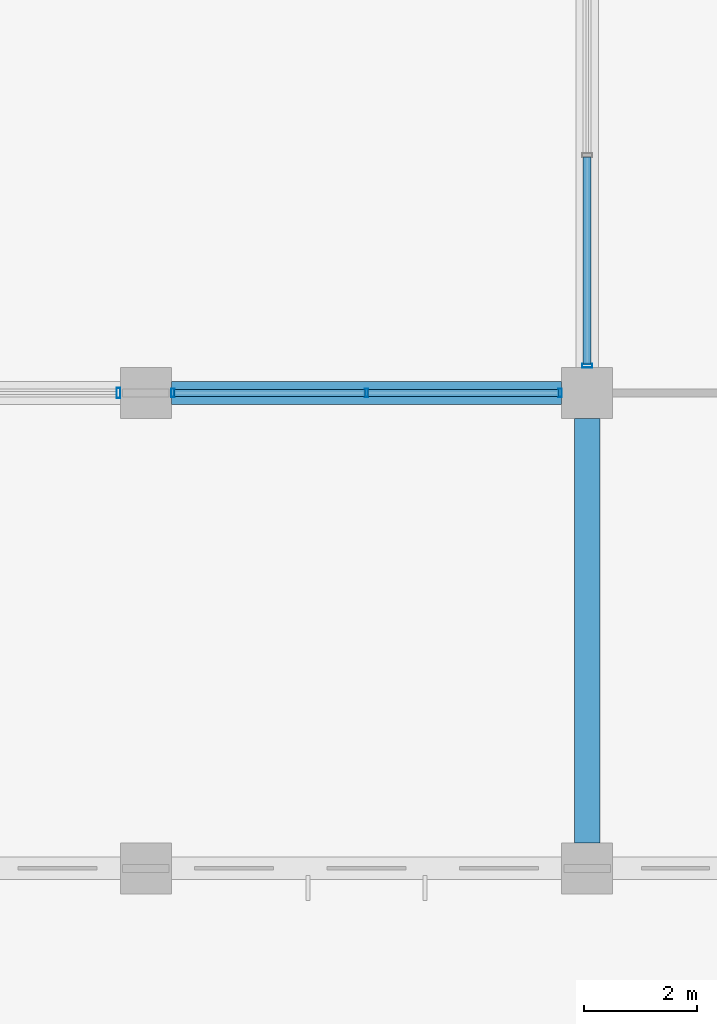
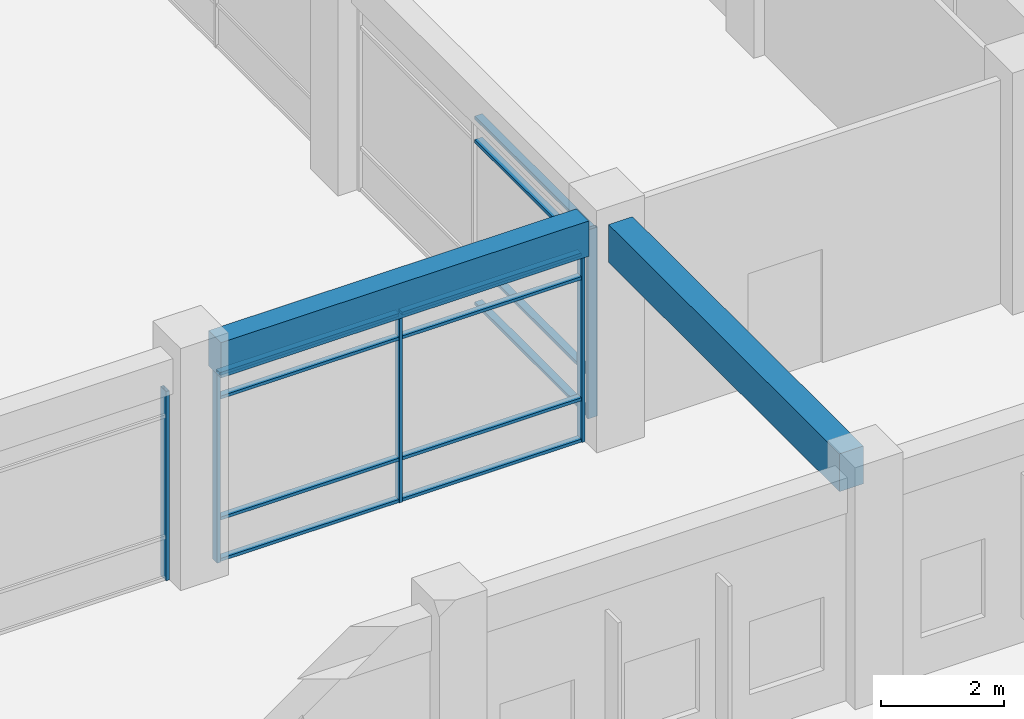
# One storey, part 33 of 74: 17 members, 2 beams, 3 elements without a shape of their own.
"""IFC4 building model written with IfcOpenShell, lengths in metres."""

from ifc_helpers import new_model, si_unit, direction, frame, origin, origin_2d, place, context, subcontext, project, spatial, rectangle, hollow_rectangle, extrude, material, material_profile, profile_set, type_object, element, aggregate, save


model = new_model("IFC4")

# Units and contexts
model_context = context("Model", 3, precision=1e-05, world=origin(), true_north=direction((0.0, 1.0)))
body_context = subcontext(model_context, "Body", "Model", "MODEL_VIEW")
ifc_project = project(units=[si_unit("LENGTHUNIT", "METRE"), si_unit("AREAUNIT", "SQUARE_METRE"), si_unit("VOLUMEUNIT", "CUBIC_METRE"), si_unit("PLANEANGLEUNIT", "RADIAN"), si_unit("MASSUNIT", "GRAM", prefix="KILO"), si_unit("THERMODYNAMICTEMPERATUREUNIT", "KELVIN"), si_unit("POWERUNIT", "WATT")], contexts=[model_context])

# Site, building, storey
site_placement = place(None, origin())
site = spatial("IfcSite", under=ifc_project, at=site_placement, CompositionType="ELEMENT")
building_placement = place(site_placement, origin())
building = spatial("IfcBuilding", under=site, at=building_placement, Name="Srebrne Nadtorze General Hospital", CompositionType="ELEMENT")
storey_placement = place(building_placement, origin())
storey = spatial("IfcBuildingStorey", under=building, at=storey_placement, Name="L00", CompositionType="ELEMENT", Elevation=0.0)

# Curtain wall, members
ifc_material_1 = material(Name="Anodised Aluminium", Category="aluminium")
curtain_wall_type_1 = type_object("IfcCurtainWallType", Name="Unitised curtain wall 6900x3750", PredefinedType="NOTDEFINED", material=ifc_material_1)
curtain_wall_1_placement = place(storey_placement, origin())
curtain_wall_1 = element("IfcCurtainWall", 1, at=curtain_wall_1_placement, inside=storey, type_object=curtain_wall_type_1, Name="Curtain wall CW-004", PredefinedType="NOTDEFINED")
ifc_material_2 = material(Name="Anodised Aluminium", Category="aluminium")
ifc_material_profile_1 = material_profile(ifc_material_2, hollow_rectangle(XDim=0.06005859375, YDim=0.14990234375, WallThickness=0.00390625, at=origin_2d()), Name="AL-MUL-60x150")
ifc_profile_set_1 = profile_set([ifc_material_profile_1], Name="Anodised Aluminium")
member_type_1 = type_object("IfcMemberType", Name="Curtain mullion 60x150", PredefinedType="MULLION", material=ifc_profile_set_1)
member_1_placement = place(storey_placement, frame((125.280029296875, 8.39990234375, 0.0), z_axis=(0.0, 0.0, 1.0), x_axis=(1.0, 0.0, 0.0)))
member_1 = element("IfcMember", 2, at=member_1_placement, type_object=member_type_1, Name="CW-004 mullion 1", PredefinedType="MULLION", context=body_context, shape_type="SweptSolid", body=[
    extrude(hollow_rectangle(XDim=0.06005859375, YDim=0.14990234375, WallThickness=0.00390625, at=origin_2d()), origin(), (0.0, 0.0, 1.0), 3.75),
])
member_2_placement = place(storey_placement, frame((128.699951171875, 8.39990234375, 0.0), z_axis=(0.0, 0.0, 1.0), x_axis=(1.0, 0.0, 0.0)))
member_2 = element("IfcMember", 3, at=member_2_placement, type_object=member_type_1, Name="CW-004 mullion 2", PredefinedType="MULLION", context=body_context, shape_type="SweptSolid", body=[
    extrude(hollow_rectangle(XDim=0.06005859375, YDim=0.14990234375, WallThickness=0.00390625, at=origin_2d()), origin(), (0.0, 0.0, 1.0), 3.75),
])
member_3_placement = place(storey_placement, frame((132.1201171875, 8.39990234375, 0.0), z_axis=(0.0, 0.0, 1.0), x_axis=(1.0, 0.0, 0.0)))
member_3 = element("IfcMember", 4, at=member_3_placement, type_object=member_type_1, Name="CW-004 mullion 3", PredefinedType="MULLION", context=body_context, shape_type="SweptSolid", body=[
    extrude(hollow_rectangle(XDim=0.06005859375, YDim=0.14990234375, WallThickness=0.00390625, at=origin_2d()), origin(), (0.0, 0.0, 1.0), 3.75),
])

# Curtain wall, member
curtain_wall_2_placement = place(storey_placement, origin())
curtain_wall_2 = element("IfcCurtainWall", 5, at=curtain_wall_2_placement, inside=storey, type_object=curtain_wall_type_1, Name="Curtain wall CW-003", PredefinedType="NOTDEFINED")
ifc_material_3 = material(Name="Anodised Aluminium", Category="aluminium")
ifc_material_profile_2 = material_profile(ifc_material_3, hollow_rectangle(XDim=0.06494140625, YDim=0.179931640625, WallThickness=0.00390625, at=origin_2d()), Name="AL-MUL-65x180")
ifc_profile_set_2 = profile_set([ifc_material_profile_2], Name="Anodised Aluminium")
member_type_2 = type_object("IfcMemberType", Name="Curtain mullion 65x180", PredefinedType="MULLION", material=ifc_profile_set_2)
member_4_placement = place(storey_placement, frame((124.3173828125, 8.39990234375, 0.0), z_axis=(0.0, 0.0, 1.0), x_axis=(1.0, 0.0, 0.0)))
member_4 = element("IfcMember", 6, at=member_4_placement, type_object=member_type_2, Name="CW-003 mullion 3", PredefinedType="MULLION", context=body_context, shape_type="SweptSolid", body=[
    extrude(hollow_rectangle(XDim=0.06494140625, YDim=0.179931640625, WallThickness=0.00390625, at=origin_2d()), origin(), (0.0, 0.0, 1.0), 3.75),
])
aggregate(curtain_wall_2, [member_4])

ifc_material_4 = material(Name="Anodised Aluminium", Category="aluminium")
curtain_wall_type_2 = type_object("IfcCurtainWallType", Name="Unitised curtain wall 7500x3750", PredefinedType="NOTDEFINED", material=ifc_material_4)
curtain_wall_3_placement = place(storey_placement, origin())
curtain_wall_3 = element("IfcCurtainWall", 7, at=curtain_wall_3_placement, inside=storey, type_object=curtain_wall_type_2, Name="Curtain wall CW-027", PredefinedType="NOTDEFINED")
member_5_placement = place(storey_placement, frame((132.60009765625, 8.882568359375, 0.0), z_axis=(0.0, 0.0, 1.0), x_axis=(0.0, 1.0, 0.0)))
member_5 = element("IfcMember", 8, at=member_5_placement, type_object=member_type_2, Name="CW-027 mullion 1", PredefinedType="MULLION", context=body_context, shape_type="SweptSolid", body=[
    extrude(hollow_rectangle(XDim=0.06494140625, YDim=0.179931640625, WallThickness=0.00390625, at=origin_2d()), origin(), (0.0, 0.0, 1.0), 3.75),
])

# Member
ifc_material_5 = material(Name="Anodised Aluminium", Category="aluminium")
ifc_material_profile_3 = material_profile(ifc_material_5, hollow_rectangle(XDim=0.06005859375, YDim=0.1201171875, WallThickness=0.00390625, at=origin_2d()), Name="AL-TRN-60x120")
ifc_profile_set_3 = profile_set([ifc_material_profile_3], Name="Anodised Aluminium")
member_type_3 = type_object("IfcMemberType", Name="Curtain transom 60x120", PredefinedType="USERDEFINED", material=ifc_profile_set_3)
member_6_placement = place(storey_placement, frame((125.31005859375, 8.39990234375, 0.030029296875), z_axis=(1.0, 0.0, 0.0), x_axis=(0.0, 0.0, 1.0)))
member_6 = element("IfcMember", 9, at=member_6_placement, type_object=member_type_3, Name="CW-004 transom 1.1", ObjectType="TRANSOM", PredefinedType="USERDEFINED", context=body_context, shape_type="SweptSolid", body=[
    extrude(hollow_rectangle(XDim=0.06005859375, YDim=0.1201171875, WallThickness=0.00390625, at=origin_2d()), origin(), (0.0, 0.0, 1.0), 3.35986328125),
])

member_7_placement = place(storey_placement, frame((125.31005859375, 8.39990234375, 0.85009765625), z_axis=(1.0, 0.0, 0.0), x_axis=(0.0, 0.0, 1.0)))
member_7 = element("IfcMember", 10, at=member_7_placement, type_object=member_type_3, Name="CW-004 transom 1.2", ObjectType="TRANSOM", PredefinedType="USERDEFINED", context=body_context, shape_type="SweptSolid", body=[
    extrude(hollow_rectangle(XDim=0.06005859375, YDim=0.1201171875, WallThickness=0.00390625, at=origin_2d()), origin(), (0.0, 0.0, 1.0), 3.35986328125),
])

member_8_placement = place(storey_placement, frame((125.31005859375, 8.39990234375, 3.25), z_axis=(1.0, 0.0, 0.0), x_axis=(0.0, 0.0, 1.0)))
member_8 = element("IfcMember", 11, at=member_8_placement, type_object=member_type_3, Name="CW-004 transom 1.3", ObjectType="TRANSOM", PredefinedType="USERDEFINED", context=body_context, shape_type="SweptSolid", body=[
    extrude(hollow_rectangle(XDim=0.06005859375, YDim=0.1201171875, WallThickness=0.00390625, at=origin_2d()), origin(), (0.0, 0.0, 1.0), 3.35986328125),
])

member_9_placement = place(storey_placement, frame((125.31005859375, 8.39990234375, 3.719970703125), z_axis=(1.0, 0.0, 0.0), x_axis=(0.0, 0.0, 1.0)))
member_9 = element("IfcMember", 12, at=member_9_placement, type_object=member_type_3, Name="CW-004 transom 1.4", ObjectType="TRANSOM", PredefinedType="USERDEFINED", context=body_context, shape_type="SweptSolid", body=[
    extrude(hollow_rectangle(XDim=0.06005859375, YDim=0.1201171875, WallThickness=0.00390625, at=origin_2d()), origin(), (0.0, 0.0, 1.0), 3.35986328125),
])

member_10_placement = place(storey_placement, frame((128.72998046875, 8.39990234375, 0.030029296875), z_axis=(1.0, 0.0, 0.0), x_axis=(0.0, 0.0, 1.0)))
member_10 = element("IfcMember", 13, at=member_10_placement, type_object=member_type_3, Name="CW-004 transom 2.1", ObjectType="TRANSOM", PredefinedType="USERDEFINED", context=body_context, shape_type="SweptSolid", body=[
    extrude(hollow_rectangle(XDim=0.06005859375, YDim=0.1201171875, WallThickness=0.00390625, at=origin_2d()), origin(), (0.0, 0.0, 1.0), 3.360107421875),
])

member_11_placement = place(storey_placement, frame((128.72998046875, 8.39990234375, 0.85009765625), z_axis=(1.0, 0.0, 0.0), x_axis=(0.0, 0.0, 1.0)))
member_11 = element("IfcMember", 14, at=member_11_placement, type_object=member_type_3, Name="CW-004 transom 2.2", ObjectType="TRANSOM", PredefinedType="USERDEFINED", context=body_context, shape_type="SweptSolid", body=[
    extrude(hollow_rectangle(XDim=0.06005859375, YDim=0.1201171875, WallThickness=0.00390625, at=origin_2d()), origin(), (0.0, 0.0, 1.0), 3.360107421875),
])

member_12_placement = place(storey_placement, frame((128.72998046875, 8.39990234375, 3.25), z_axis=(1.0, 0.0, 0.0), x_axis=(0.0, 0.0, 1.0)))
member_12 = element("IfcMember", 15, at=member_12_placement, type_object=member_type_3, Name="CW-004 transom 2.3", ObjectType="TRANSOM", PredefinedType="USERDEFINED", context=body_context, shape_type="SweptSolid", body=[
    extrude(hollow_rectangle(XDim=0.06005859375, YDim=0.1201171875, WallThickness=0.00390625, at=origin_2d()), origin(), (0.0, 0.0, 1.0), 3.360107421875),
])

member_13_placement = place(storey_placement, frame((128.72998046875, 8.39990234375, 3.719970703125), z_axis=(1.0, 0.0, 0.0), x_axis=(0.0, 0.0, 1.0)))
member_13 = element("IfcMember", 16, at=member_13_placement, type_object=member_type_3, Name="CW-004 transom 2.4", ObjectType="TRANSOM", PredefinedType="USERDEFINED", context=body_context, shape_type="SweptSolid", body=[
    extrude(hollow_rectangle(XDim=0.06005859375, YDim=0.1201171875, WallThickness=0.00390625, at=origin_2d()), origin(), (0.0, 0.0, 1.0), 3.360107421875),
])

aggregate(curtain_wall_1, [member_1, member_2, member_3, member_6, member_7, member_8, member_9, member_10, member_11, member_12, member_13])

ifc_material_6 = material(Name="Anodised Aluminium", Category="aluminium")
ifc_material_profile_4 = material_profile(ifc_material_6, hollow_rectangle(XDim=0.06494140625, YDim=0.139892578125, WallThickness=0.00390625, at=origin_2d()), Name="AL-TRN-65x140")
ifc_profile_set_4 = profile_set([ifc_material_profile_4], Name="Anodised Aluminium")
member_type_4 = type_object("IfcMemberType", Name="Curtain transom 65x140", PredefinedType="USERDEFINED", material=ifc_profile_set_4)
member_14_placement = place(storey_placement, frame((132.60009765625, 8.9150390625, 0.032470703125), z_axis=(0.0, 1.0, 0.0), x_axis=(0.0, 0.0, 1.0)))
member_14 = element("IfcMember", 17, at=member_14_placement, type_object=member_type_4, Name="CW-027 transom 1.1", ObjectType="TRANSOM", PredefinedType="USERDEFINED", context=body_context, shape_type="SweptSolid", body=[
    extrude(hollow_rectangle(XDim=0.06494140625, YDim=0.139892578125, WallThickness=0.00390625, at=origin_2d()), origin(), (0.0, 0.0, 1.0), 3.65234375),
])

member_15_placement = place(storey_placement, frame((132.60009765625, 8.9150390625, 0.85009765625), z_axis=(0.0, 1.0, 0.0), x_axis=(0.0, 0.0, 1.0)))
member_15 = element("IfcMember", 18, at=member_15_placement, type_object=member_type_4, Name="CW-027 transom 1.2", ObjectType="TRANSOM", PredefinedType="USERDEFINED", context=body_context, shape_type="SweptSolid", body=[
    extrude(hollow_rectangle(XDim=0.06494140625, YDim=0.139892578125, WallThickness=0.00390625, at=origin_2d()), origin(), (0.0, 0.0, 1.0), 3.65234375),
])

member_16_placement = place(storey_placement, frame((132.60009765625, 8.9150390625, 3.25), z_axis=(0.0, 1.0, 0.0), x_axis=(0.0, 0.0, 1.0)))
member_16 = element("IfcMember", 19, at=member_16_placement, type_object=member_type_4, Name="CW-027 transom 1.3", ObjectType="TRANSOM", PredefinedType="USERDEFINED", context=body_context, shape_type="SweptSolid", body=[
    extrude(hollow_rectangle(XDim=0.06494140625, YDim=0.139892578125, WallThickness=0.00390625, at=origin_2d()), origin(), (0.0, 0.0, 1.0), 3.65234375),
])

member_17_placement = place(storey_placement, frame((132.60009765625, 8.9150390625, 3.717529296875), z_axis=(0.0, 1.0, 0.0), x_axis=(0.0, 0.0, 1.0)))
member_17 = element("IfcMember", 20, at=member_17_placement, type_object=member_type_4, Name="CW-027 transom 1.4", ObjectType="TRANSOM", PredefinedType="USERDEFINED", context=body_context, shape_type="SweptSolid", body=[
    extrude(hollow_rectangle(XDim=0.06494140625, YDim=0.139892578125, WallThickness=0.00390625, at=origin_2d()), origin(), (0.0, 0.0, 1.0), 3.65234375),
])

aggregate(curtain_wall_3, [member_5, member_14, member_15, member_16, member_17])

# Beams
ifc_material_7 = material(Name="Concrete C40/50", Category="concrete")
ifc_material_profile_5 = material_profile(ifc_material_7, rectangle(XDim=0.39990234375, YDim=0.699951171875, at=origin_2d()), Name="RC-BM-400x700")
ifc_profile_set_5 = profile_set([ifc_material_profile_5], Name="Concrete C40/50")
beam_type_1 = type_object("IfcBeamType", Name="Edge beam RC 400x700", PredefinedType="BEAM", material=ifc_profile_set_5)
beam_1_placement = place(storey_placement, frame((125.25, 8.39990234375, 4.10009765625), z_axis=(1.0, 0.0, 0.0), x_axis=(0.0, 1.0, 0.0)))
element("IfcBeam", 21, at=beam_1_placement, inside=storey, type_object=beam_type_1, Name="Beam BM-L00-X-0198", PredefinedType="BEAM", context=body_context, shape_type="SweptSolid", body=[
    extrude(rectangle(XDim=0.39990234375, YDim=0.699951171875, at=origin_2d()), origin(), (0.0, 0.0, 1.0), 6.89990234375),
])
ifc_material_8 = material(Name="Concrete C40/50", Category="concrete")
ifc_material_profile_6 = material_profile(ifc_material_8, rectangle(XDim=0.449951171875, YDim=0.75, at=origin_2d()), Name="RC-BM-450x750")
ifc_profile_set_6 = profile_set([ifc_material_profile_6], Name="Concrete C40/50")
beam_type_2 = type_object("IfcBeamType", Name="Primary beam RC 450x750", PredefinedType="BEAM", material=ifc_profile_set_6)
beam_2_placement = place(storey_placement, frame((132.60009765625, 0.449951171875, 4.074951171875), z_axis=(0.0, 1.0, 0.0), x_axis=(-1.0, 0.0, 0.0)))
element("IfcBeam", 22, at=beam_2_placement, inside=storey, type_object=beam_type_2, Name="Beam BM-L00-Y-0340", PredefinedType="BEAM", context=body_context, shape_type="SweptSolid", body=[
    extrude(rectangle(XDim=0.449951171875, YDim=0.75, at=origin_2d()), origin(), (0.0, 0.0, 1.0), 7.5),
])

save(model, "model.ifc")
